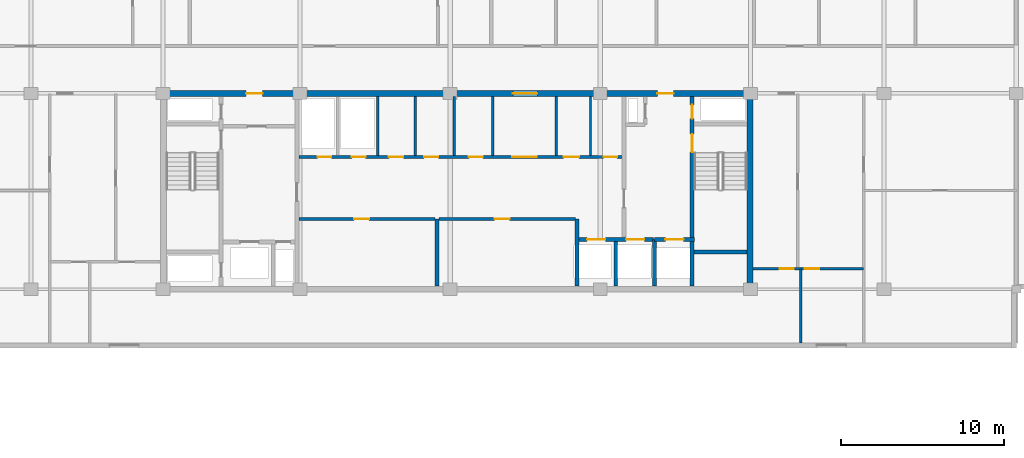
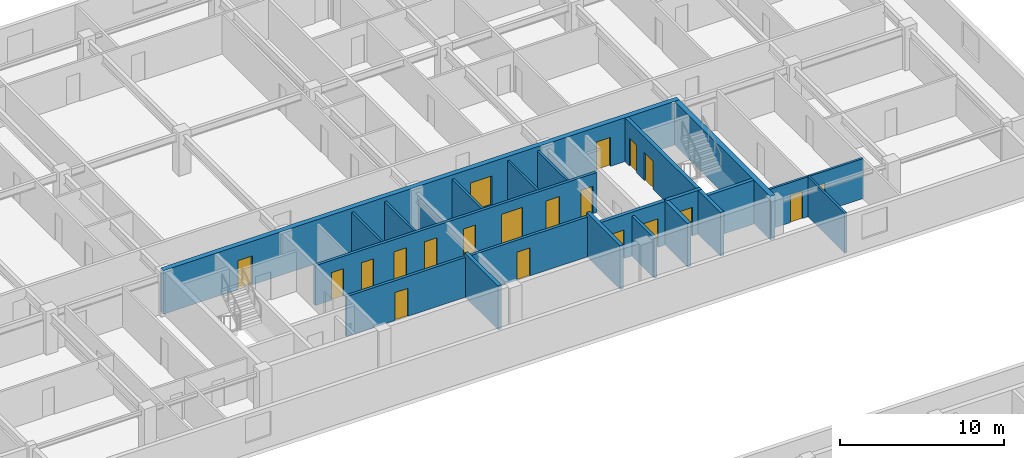
# One storey, part 20 of 30: 21 walls, 20 doors, 20 openings.
"""IFC4 building model written with IfcOpenShell, lengths in metres."""

from ifc_helpers import new_model, si_unit, direction, frame, frame_2d, origin, place, context, subcontext, project, spatial, rectangle, extrude, material, layer, layer_set, type_object, element, fill, save


model = new_model("IFC4")

# Units and contexts
model_context = context("Model", 3, precision=1e-05, world=origin(), true_north=direction((0.0, 1.0)))
body_context = subcontext(model_context, "Body", "Model", "MODEL_VIEW")
ifc_project = project(units=[si_unit("LENGTHUNIT", "METRE"), si_unit("AREAUNIT", "SQUARE_METRE"), si_unit("VOLUMEUNIT", "CUBIC_METRE"), si_unit("PLANEANGLEUNIT", "RADIAN"), si_unit("MASSUNIT", "GRAM", prefix="KILO")], contexts=[model_context])

# Site, building, storey
site_placement = place(None, origin())
site = spatial("IfcSite", under=ifc_project, at=site_placement, CompositionType="ELEMENT")
building_placement = place(site_placement, origin())
building = spatial("IfcBuilding", under=site, at=building_placement, Name="Korimba Cascade Residences", CompositionType="ELEMENT")
storey_placement = place(building_placement, frame((0.0, 0.0, 201.10009765625)))
storey = spatial("IfcBuildingStorey", under=building, at=storey_placement, Name="L58", CompositionType="ELEMENT", Elevation=201.10009765625)

# Wall
ifc_material_1 = material(Name="Concrete C65/80", Category="concrete")
ifc_layer_1 = layer(ifc_material_1, 0.35009765625)
ifc_layer_set_1 = layer_set([ifc_layer_1], Name="Concrete C65/80")
wall_type_1 = type_object("IfcWallType", Name="WAL-CORE-350", PredefinedType="SHEAR", material=ifc_layer_set_1)
wall_1_placement = place(storey_placement, frame((112.074951171875, 55.375, 0.0), z_axis=(0.0, 0.0, 1.0), x_axis=(0.0, 1.0, 0.0)))
element("IfcWall", 1, at=wall_1_placement, inside=storey, type_object=wall_type_1, Name="L58 Core Shear Wall CW-L58-T1-E", PredefinedType="SHEAR", context=body_context, shape_type="SweptSolid", body=[
    extrude(rectangle(XDim=11.64990234375, YDim=0.35009765625, at=frame_2d((5.824951171875, 0.0))), origin(), (0.0, 0.0, 1.0), 3.25),
])

# Wall, openings, doors
wall_2_placement = place(storey_placement, frame((75.949951171875, 67.199951171875, 0.0), z_axis=(0.0, 0.0, 1.0), x_axis=(1.0, 0.0, 0.0)))
wall_2 = element("IfcWall", 2, at=wall_2_placement, inside=storey, type_object=wall_type_1, Name="L58 Core Shear Wall CW-L58-T1-N", PredefinedType="SHEAR", context=body_context, shape_type="SweptSolid", body=[
    extrude(rectangle(XDim=36.300048828125, YDim=0.35009765625, at=frame_2d((18.14990234375, 0.0))), origin(), (0.0, 0.0, 1.0), 3.25),
])
opening_1_placement = place(wall_2_placement, frame((5.25, 0.0, 0.0)))
opening_1 = element("IfcOpeningElement", 3, at=opening_1_placement, cuts=wall_2, Name="Opening D-FD5", PredefinedType="OPENING", context=body_context, shape_type="SweptSolid", body=[
    extrude(rectangle(XDim=1.0, YDim=2.14990234375, at=frame_2d((0.5, 1.074951171875))), frame((0.0, 0.18505859375, 0.0), z_axis=(0.0, -1.0, 0.0), x_axis=(1.0, 0.0, 0.0)), (0.0, 0.0, 1.0), 0.3701171875),
])
opening_2_placement = place(wall_2_placement, frame((21.60009765625, 0.0, 0.0)))
opening_2 = element("IfcOpeningElement", 4, at=opening_2_placement, cuts=wall_2, Name="Opening D-FD8", PredefinedType="OPENING", context=body_context, shape_type="SweptSolid", body=[
    extrude(rectangle(XDim=1.5, YDim=2.199951171875, at=frame_2d((0.75, 1.10009765625))), frame((0.0, 0.18505859375, 0.0), z_axis=(0.0, -1.0, 0.0), x_axis=(1.0, 0.0, 0.0)), (0.0, 0.0, 1.0), 0.3701171875),
])
opening_3_placement = place(wall_2_placement, frame((30.449951171875, 0.0, 0.0)))
opening_3 = element("IfcOpeningElement", 5, at=opening_3_placement, cuts=wall_2, Name="Opening D-FD5", PredefinedType="OPENING", context=body_context, shape_type="SweptSolid", body=[
    extrude(rectangle(XDim=1.0, YDim=2.14990234375, at=frame_2d((0.5, 1.074951171875))), frame((0.0, 0.18505859375, 0.0), z_axis=(0.0, -1.0, 0.0), x_axis=(1.0, 0.0, 0.0)), (0.0, 0.0, 1.0), 0.3701171875),
])
ifc_material_2 = material(Name="Fire-Rated Acoustic Timber Vestibule Door", Category="wood")
door_type_1 = type_object("IfcDoorType", Name="DR-FD90-1000", OperationType="NOTDEFINED", PredefinedType="DOOR", material=ifc_material_2)
door_1_placement = place(opening_1_placement, origin())
door_1 = element("IfcDoor", 6, at=door_1_placement, inside=storey, type_object=door_type_1, Name="L58 T1 West Core Vestibule Fire Door", OperationType="SINGLE_SWING_LEFT", OverallHeight=2.14990234375, OverallWidth=1.0, PredefinedType="DOOR", context=body_context, shape_type="SweptSolid", body=[
    extrude(rectangle(XDim=1.0, YDim=2.14990234375, at=frame_2d((0.5, 1.074951171875))), frame((0.0, 0.02490234375, 0.0), z_axis=(0.0, -1.0, 0.0), x_axis=(1.0, 0.0, 0.0)), (0.0, 0.0, 1.0), 0.050048828125),
])
fill(opening_1, door_1)
door_2_placement = place(opening_3_placement, origin())
door_2 = element("IfcDoor", 7, at=door_2_placement, inside=storey, type_object=door_type_1, Name="L58 T1 East Firefighting Vestibule Fire Door", OperationType="SINGLE_SWING_RIGHT", OverallHeight=2.14990234375, OverallWidth=1.0, PredefinedType="DOOR", context=body_context, shape_type="SweptSolid", body=[
    extrude(rectangle(XDim=1.0, YDim=2.14990234375, at=frame_2d((0.5, 1.074951171875))), frame((0.0, 0.02490234375, 0.0), z_axis=(0.0, -1.0, 0.0), x_axis=(1.0, 0.0, 0.0)), (0.0, 0.0, 1.0), 0.050048828125),
])
fill(opening_3, door_2)
ifc_material_3 = material(Name="Fire-Rated Glazed Lift Lobby Double Door", Category="glass")
door_type_2 = type_object("IfcDoorType", Name="DR-FD90-1500", OperationType="NOTDEFINED", PredefinedType="DOOR", material=ifc_material_3)
door_3_placement = place(opening_2_placement, origin())
door_3 = element("IfcDoor", 8, at=door_3_placement, inside=storey, type_object=door_type_2, Name="L58 T1 Lift Lobby Fire Door", OperationType="DOUBLE_DOOR_SINGLE_SWING", OverallHeight=2.199951171875, OverallWidth=1.5, PredefinedType="DOOR", context=body_context, shape_type="SweptSolid", body=[
    extrude(rectangle(XDim=1.5, YDim=2.199951171875, at=frame_2d((0.75, 1.10009765625))), frame((0.0, 0.02490234375, 0.0), z_axis=(0.0, -1.0, 0.0), x_axis=(1.0, 0.0, 0.0)), (0.0, 0.0, 1.0), 0.050048828125),
])
fill(opening_2, door_3)

# Walls
ifc_material_4 = material(Name="Insulated Acoustic Stud Partition", Category="gypsum")
ifc_layer_2 = layer(ifc_material_4, 0.14990234375)
ifc_layer_set_2 = layer_set([ifc_layer_2], Name="Insulated Acoustic Stud Partition")
wall_type_2 = type_object("IfcWallType", Name="WAL-PART-150", PredefinedType="PARTITIONING", material=ifc_layer_set_2)
for number, where, z_axis, x_axis, name in (
    (9, (89.25, 63.39990234375, 0.0), (0.0, 0.0, 1.0), (0.0, 1.0, 0.0), "L58 Partition Wall CW-L58-T1-PRDIV"),
    (10, (91.550048828125, 63.39990234375, 0.0), (0.0, 0.0, 1.0), (0.0, 1.0, 0.0), "L58 Partition Wall CW-L58-T1-CA1W1"),
):
    element("IfcWall", number, at=place(storey_placement, frame(where, z_axis=z_axis, x_axis=x_axis)), inside=storey, type_object=wall_type_2, Name=name, PredefinedType="PARTITIONING", context=body_context, shape_type="SweptSolid", body=[
        extrude(rectangle(XDim=3.60009765625, YDim=0.14990234375, at=frame_2d((1.800048828125, 0.0))), origin(), (0.0, 0.0, 1.0), 2.969970703125),
    ])
wall_3_placement = place(storey_placement, frame((93.949951171875, 63.39990234375, 0.0), z_axis=(0.0, 0.0, 1.0), x_axis=(0.0, 1.0, 0.0)))
element("IfcWall", 11, at=wall_3_placement, inside=storey, type_object=wall_type_2, Name="L58 Partition Wall CW-L58-T1-CA1W2", PredefinedType="PARTITIONING", context=body_context, shape_type="SweptSolid", body=[
    extrude(rectangle(XDim=3.60009765625, YDim=0.14990234375, at=frame_2d((1.800048828125, 0.0))), origin(), (0.0, 0.0, 1.0), 2.277099609375),
])
for number, where, z_axis, x_axis, name in (
    (12, (102.300048828125, 63.39990234375, 0.0), (0.0, 0.0, 1.0), (0.0, 1.0, 0.0), "L58 Partition Wall CW-L58-T1-CA1E1"),
    (13, (96.300048828125, 63.39990234375, 0.0), (0.0, 0.0, 1.0), (0.0, 1.0, 0.0), "L58 Partition Wall CW-L58-T1-THW"),
    (14, (100.199951171875, 63.39990234375, 0.0), (0.0, 0.0, 1.0), (0.0, 1.0, 0.0), "L58 Partition Wall CW-L58-T1-THE"),
):
    element("IfcWall", number, at=place(storey_placement, frame(where, z_axis=z_axis, x_axis=x_axis)), inside=storey, type_object=wall_type_2, Name=name, PredefinedType="PARTITIONING", context=body_context, shape_type="SweptSolid", body=[
        extrude(rectangle(XDim=3.60009765625, YDim=0.14990234375, at=frame_2d((1.800048828125, 0.0))), origin(), (0.0, 0.0, 1.0), 2.969970703125),
    ])
wall_4_placement = place(storey_placement, frame((115.199951171875, 51.89990234375, 0.0), z_axis=(0.0, 0.0, 1.0), x_axis=(0.0, 1.0, 0.0)))
element("IfcWall", 15, at=wall_4_placement, inside=storey, type_object=wall_type_2, Name="L58 Partition Wall WAL-L58-T1-FE-VS", PredefinedType="PARTITIONING", context=body_context, shape_type="SweptSolid", body=[
    extrude(rectangle(XDim=4.550048828125, YDim=0.14990234375, at=frame_2d((2.27490234375, 0.0))), origin(), (0.0, 0.0, 1.0), 2.969970703125),
])

# Wall, openings, doors
wall_5_placement = place(storey_placement, frame((112.27001953125, 56.449951171875, 0.0), z_axis=(0.0, 0.0, 1.0), x_axis=(1.0, 0.0, 0.0)))
wall_5 = element("IfcWall", 16, at=wall_5_placement, inside=storey, type_object=wall_type_2, Name="L58 Partition Wall WAL-L58-T1-FE-H", PredefinedType="PARTITIONING", context=body_context, shape_type="SweptSolid", body=[
    extrude(rectangle(XDim=6.760009765625, YDim=0.14990234375, at=frame_2d((3.3798828125, 0.0))), origin(), (0.0, 0.0, 1.0), 2.969970703125),
])
opening_4_placement = place(wall_5_placement, frame((1.6396484375, 0.0, 0.0)))
opening_4 = element("IfcOpeningElement", 17, at=opening_4_placement, cuts=wall_5, Name="Opening D-BT1", PredefinedType="OPENING", context=body_context, shape_type="SweptSolid", body=[
    extrude(rectangle(XDim=0.840087890625, YDim=2.0400390625, at=frame_2d((0.419921875, 1.02001953125))), frame((0.0, 0.0849609375, 0.0), z_axis=(0.0, -1.0, 0.0), x_axis=(1.0, 0.0, 0.0)), (0.0, 0.0, 1.0), 0.169921875),
])
opening_5_placement = place(wall_5_placement, frame((3.160400390625, 0.0, 0.0)))
opening_5 = element("IfcOpeningElement", 18, at=opening_5_placement, cuts=wall_5, Name="Opening D-IN2", PredefinedType="OPENING", context=body_context, shape_type="SweptSolid", body=[
    extrude(rectangle(XDim=0.8798828125, YDim=2.06005859375, at=frame_2d((0.43994140625, 1.030029296875))), frame((0.0, 0.0849609375, 0.0), z_axis=(0.0, -1.0, 0.0), x_axis=(1.0, 0.0, 0.0)), (0.0, 0.0, 1.0), 0.169921875),
])
ifc_material_5 = material(Name="Moisture-Resistant Bathroom Timber Door", Category="wood")
door_type_3 = type_object("IfcDoorType", Name="DR-INT-850", OperationType="NOTDEFINED", PredefinedType="DOOR", material=ifc_material_5)
door_4_placement = place(opening_4_placement, origin())
door_4 = element("IfcDoor", 19, at=door_4_placement, inside=storey, type_object=door_type_3, Name="L58-T1-FE Bathroom Door", OperationType="SINGLE_SWING_LEFT", OverallHeight=2.0400390625, OverallWidth=0.840087890625, PredefinedType="DOOR", context=body_context, shape_type="SweptSolid", body=[
    extrude(rectangle(XDim=0.840087890625, YDim=2.0400390625, at=frame_2d((0.419921875, 1.02001953125))), frame((0.0, 0.02490234375, 0.0), z_axis=(0.0, -1.0, 0.0), x_axis=(1.0, 0.0, 0.0)), (0.0, 0.0, 1.0), 0.050048828125),
])
fill(opening_4, door_4)
ifc_material_6 = material(Name="Acoustic Timber Bedroom Door", Category="wood")
door_type_4 = type_object("IfcDoorType", Name="DR-INT-880", OperationType="NOTDEFINED", PredefinedType="DOOR", material=ifc_material_6)
door_5_placement = place(opening_5_placement, origin())
door_5 = element("IfcDoor", 20, at=door_5_placement, inside=storey, type_object=door_type_4, Name="L58-T1-FE Bedroom Door", OperationType="SINGLE_SWING_RIGHT", OverallHeight=2.06005859375, OverallWidth=0.8798828125, PredefinedType="DOOR", context=body_context, shape_type="SweptSolid", body=[
    extrude(rectangle(XDim=0.8798828125, YDim=2.06005859375, at=frame_2d((0.43994140625, 1.030029296875))), frame((0.0, 0.02490234375, 0.0), z_axis=(0.0, -1.0, 0.0), x_axis=(1.0, 0.0, 0.0)), (0.0, 0.0, 1.0), 0.050048828125),
])
fill(opening_5, door_5)

# Wall, opening, door
ifc_material_7 = material(Name="Concrete C40/50", Category="concrete")
ifc_layer_3 = layer(ifc_material_7, 0.199951171875)
ifc_layer_set_3 = layer_set([ifc_layer_3], Name="Concrete C40/50")
wall_type_3 = type_object("IfcWallType", Name="WAL-PART-200", PredefinedType="PARTITIONING", material=ifc_layer_set_3)
wall_6_placement = place(storey_placement, frame((84.419921875, 59.5, 0.0), z_axis=(0.0, 0.0, 1.0), x_axis=(1.0, 0.0, 0.0)))
wall_6 = element("IfcWall", 21, at=wall_6_placement, inside=storey, type_object=wall_type_3, Name="L58 Partition Wall CW-L58-T1-B1RN", PredefinedType="PARTITIONING", context=body_context, shape_type="SweptSolid", body=[
    extrude(rectangle(XDim=8.360107421875, YDim=0.199951171875, at=frame_2d((4.18017578125, 0.0))), origin(), (0.0, 0.0, 1.0), 2.969970703125),
])
opening_6_placement = place(wall_6_placement, frame((3.39990234375, 0.0, 0.0)))
opening_6 = element("IfcOpeningElement", 22, at=opening_6_placement, cuts=wall_6, Name="Opening D-ST1", PredefinedType="OPENING", context=body_context, shape_type="SweptSolid", body=[
    extrude(rectangle(XDim=0.919921875, YDim=2.080078125, at=frame_2d((0.4599609375, 1.0400390625))), frame((0.0, 0.10986328125, 0.0), z_axis=(0.0, -1.0, 0.0), x_axis=(1.0, 0.0, 0.0)), (0.0, 0.0, 1.0), 0.219970703125),
])
ifc_material_8 = material(Name="Fire-Rated Core Store Door", Category="wood")
door_type_5 = type_object("IfcDoorType", Name="DR-FD60-920", OperationType="NOTDEFINED", PredefinedType="DOOR", material=ifc_material_8)
door_6_placement = place(opening_6_placement, origin())
door_6 = element("IfcDoor", 23, at=door_6_placement, inside=storey, type_object=door_type_5, Name="L58 Resident Storage Door", OperationType="SINGLE_SWING_LEFT", OverallHeight=2.080078125, OverallWidth=0.919921875, PredefinedType="DOOR", context=body_context, shape_type="SweptSolid", body=[
    extrude(rectangle(XDim=0.919921875, YDim=2.080078125, at=frame_2d((0.4599609375, 1.0400390625))), frame((0.0, 0.02490234375, 0.0), z_axis=(0.0, -1.0, 0.0), x_axis=(1.0, 0.0, 0.0)), (0.0, 0.0, 1.0), 0.050048828125),
])
fill(opening_6, door_6)

wall_7_placement = place(storey_placement, frame((93.02001953125, 59.5, 0.0), z_axis=(0.0, 0.0, 1.0), x_axis=(1.0, 0.0, 0.0)))
wall_7 = element("IfcWall", 24, at=wall_7_placement, inside=storey, type_object=wall_type_3, Name="L58 Partition Wall CW-L58-T1-B2RN", PredefinedType="PARTITIONING", context=body_context, shape_type="SweptSolid", body=[
    extrude(rectangle(XDim=8.35986328125, YDim=0.199951171875, at=frame_2d((4.179931640625, 0.0))), origin(), (0.0, 0.0, 1.0), 2.969970703125),
])
opening_7_placement = place(wall_7_placement, frame((3.39990234375, 0.0, 0.0)))
opening_7 = element("IfcOpeningElement", 25, at=opening_7_placement, cuts=wall_7, Name="Opening D-ST1", PredefinedType="OPENING", context=body_context, shape_type="SweptSolid", body=[
    extrude(rectangle(XDim=0.919921875, YDim=2.080078125, at=frame_2d((0.4599609375, 1.0400390625))), frame((0.0, 0.10986328125, 0.0), z_axis=(0.0, -1.0, 0.0), x_axis=(1.0, 0.0, 0.0)), (0.0, 0.0, 1.0), 0.219970703125),
])
door_7_placement = place(opening_7_placement, origin())
door_7 = element("IfcDoor", 26, at=door_7_placement, inside=storey, type_object=door_type_5, Name="L58 Wine Cellar Store Door", OperationType="SINGLE_SWING_RIGHT", OverallHeight=2.080078125, OverallWidth=0.919921875, PredefinedType="DOOR", context=body_context, shape_type="SweptSolid", body=[
    extrude(rectangle(XDim=0.919921875, YDim=2.080078125, at=frame_2d((0.4599609375, 1.0400390625))), frame((0.0, 0.02490234375, 0.0), z_axis=(0.0, -1.0, 0.0), x_axis=(1.0, 0.0, 0.0)), (0.0, 0.0, 1.0), 0.050048828125),
])
fill(opening_7, door_7)

# Wall
wall_8_placement = place(storey_placement, frame((103.85009765625, 55.39990234375, 0.0), z_axis=(0.0, 0.0, 1.0), x_axis=(0.0, 1.0, 0.0)))
element("IfcWall", 27, at=wall_8_placement, inside=storey, type_object=wall_type_3, Name="L58 Partition Wall CW-L58-T1-B3D1", PredefinedType="PARTITIONING", context=body_context, shape_type="SweptSolid", body=[
    extrude(rectangle(XDim=2.72021484375, YDim=0.199951171875, at=frame_2d((1.360107421875, 0.0))), origin(), (0.0, 0.0, 1.0), 2.969970703125),
])

# Wall, openings, doors
wall_9_placement = place(storey_placement, frame((84.419921875, 63.300048828125, 0.0), z_axis=(0.0, 0.0, 1.0), x_axis=(1.0, 0.0, 0.0)))
wall_9 = element("IfcWall", 28, at=wall_9_placement, inside=storey, type_object=wall_type_3, Name="L58 Partition Wall CW-L58-T1-SRVROW", PredefinedType="PARTITIONING", context=body_context, shape_type="SweptSolid", body=[
    extrude(rectangle(XDim=19.830078125, YDim=0.199951171875, at=frame_2d((9.9150390625, 0.0))), origin(), (0.0, 0.0, 1.0), 2.969970703125),
])
opening_8_placement = place(wall_9_placement, frame((1.14990234375, 0.0, 0.0)))
opening_8 = element("IfcOpeningElement", 29, at=opening_8_placement, cuts=wall_9, Name="Opening D-RS1", PredefinedType="OPENING", context=body_context, shape_type="SweptSolid", body=[
    extrude(rectangle(XDim=0.85009765625, YDim=2.050048828125, at=frame_2d((0.425048828125, 1.02490234375))), frame((0.0, 0.10986328125, 0.0), z_axis=(0.0, -1.0, 0.0), x_axis=(1.0, 0.0, 0.0)), (0.0, 0.0, 1.0), 0.219970703125),
])
opening_9_placement = place(wall_9_placement, frame((3.25, 0.0, 0.0)))
opening_9 = element("IfcOpeningElement", 30, at=opening_9_placement, cuts=wall_9, Name="Opening D-RS1", PredefinedType="OPENING", context=body_context, shape_type="SweptSolid", body=[
    extrude(rectangle(XDim=0.85009765625, YDim=2.050048828125, at=frame_2d((0.425048828125, 1.02490234375))), frame((0.0, 0.10986328125, 0.0), z_axis=(0.0, -1.0, 0.0), x_axis=(1.0, 0.0, 0.0)), (0.0, 0.0, 1.0), 0.219970703125),
])
opening_10_placement = place(wall_9_placement, frame((13.080078125, 0.0, 0.0)))
opening_10 = element("IfcOpeningElement", 31, at=opening_10_placement, cuts=wall_9, Name="Opening D-FD8", PredefinedType="OPENING", context=body_context, shape_type="SweptSolid", body=[
    extrude(rectangle(XDim=1.5, YDim=2.199951171875, at=frame_2d((0.75, 1.10009765625))), frame((0.0, 0.10986328125, 0.0), z_axis=(0.0, -1.0, 0.0), x_axis=(1.0, 0.0, 0.0)), (0.0, 0.0, 1.0), 0.219970703125),
])
opening_11_placement = place(wall_9_placement, frame((5.530029296875, 0.0, 0.0)))
opening_11 = element("IfcOpeningElement", 32, at=opening_11_placement, cuts=wall_9, Name="Opening D-IN2", PredefinedType="OPENING", context=body_context, shape_type="SweptSolid", body=[
    extrude(rectangle(XDim=0.8798828125, YDim=2.06005859375, at=frame_2d((0.43994140625, 1.030029296875))), frame((0.0, 0.10986328125, 0.0), z_axis=(0.0, -1.0, 0.0), x_axis=(1.0, 0.0, 0.0)), (0.0, 0.0, 1.0), 0.219970703125),
])
opening_12_placement = place(wall_9_placement, frame((7.679931640625, 0.0, 0.0)))
opening_12 = element("IfcOpeningElement", 33, at=opening_12_placement, cuts=wall_9, Name="Opening D-IN2", PredefinedType="OPENING", context=body_context, shape_type="SweptSolid", body=[
    extrude(rectangle(XDim=0.8798828125, YDim=2.06005859375, at=frame_2d((0.43994140625, 1.030029296875))), frame((0.0, 0.10986328125, 0.0), z_axis=(0.0, -1.0, 0.0), x_axis=(1.0, 0.0, 0.0)), (0.0, 0.0, 1.0), 0.219970703125),
])
opening_13_placement = place(wall_9_placement, frame((10.429931640625, 0.0, 0.0)))
opening_13 = element("IfcOpeningElement", 34, at=opening_13_placement, cuts=wall_9, Name="Opening D-RS1", PredefinedType="OPENING", context=body_context, shape_type="SweptSolid", body=[
    extrude(rectangle(XDim=0.85009765625, YDim=2.050048828125, at=frame_2d((0.425048828125, 1.02490234375))), frame((0.0, 0.10986328125, 0.0), z_axis=(0.0, -1.0, 0.0), x_axis=(1.0, 0.0, 0.0)), (0.0, 0.0, 1.0), 0.219970703125),
])
opening_14_placement = place(wall_9_placement, frame((16.22998046875, 0.0, 0.0)))
opening_14 = element("IfcOpeningElement", 35, at=opening_14_placement, cuts=wall_9, Name="Opening D-AC1", PredefinedType="OPENING", context=body_context, shape_type="SweptSolid", body=[
    extrude(rectangle(XDim=0.9599609375, YDim=2.10009765625, at=frame_2d((0.47998046875, 1.050048828125))), frame((0.0, 0.10986328125, 0.0), z_axis=(0.0, -1.0, 0.0), x_axis=(1.0, 0.0, 0.0)), (0.0, 0.0, 1.0), 0.219970703125),
])
opening_15_placement = place(wall_9_placement, frame((18.679931640625, 0.0, 0.0)))
opening_15 = element("IfcOpeningElement", 36, at=opening_15_placement, cuts=wall_9, Name="Opening D-BT1", PredefinedType="OPENING", context=body_context, shape_type="SweptSolid", body=[
    extrude(rectangle(XDim=0.840087890625, YDim=2.0400390625, at=frame_2d((0.419921875, 1.02001953125))), frame((0.0, 0.10986328125, 0.0), z_axis=(0.0, -1.0, 0.0), x_axis=(1.0, 0.0, 0.0)), (0.0, 0.0, 1.0), 0.219970703125),
])
ifc_material_9 = material(Name="Accessible Acoustic Timber WC Door", Category="wood")
door_type_6 = type_object("IfcDoorType", Name="DR-ACC-950", OperationType="NOTDEFINED", PredefinedType="DOOR", material=ifc_material_9)
door_8_placement = place(opening_14_placement, origin())
door_8 = element("IfcDoor", 37, at=door_8_placement, inside=storey, type_object=door_type_6, Name="L58 Accessible Staff WC Door", OperationType="SINGLE_SWING_RIGHT", OverallHeight=2.10009765625, OverallWidth=0.9599609375, PredefinedType="DOOR", context=body_context, shape_type="SweptSolid", body=[
    extrude(rectangle(XDim=0.9599609375, YDim=2.10009765625, at=frame_2d((0.47998046875, 1.050048828125))), frame((0.0, 0.02490234375, 0.0), z_axis=(0.0, -1.0, 0.0), x_axis=(1.0, 0.0, 0.0)), (0.0, 0.0, 1.0), 0.050048828125),
])
fill(opening_14, door_8)
ifc_material_10 = material(Name="Fire-Rated Steel Riser Access Door", Category="steel")
door_type_7 = type_object("IfcDoorType", Name="DR-FD60-850", OperationType="NOTDEFINED", PredefinedType="DOOR", material=ifc_material_10)
door_9_placement = place(opening_8_placement, origin())
door_9 = element("IfcDoor", 38, at=door_9_placement, inside=storey, type_object=door_type_7, Name="L58 Electrical Riser Door", OperationType="SINGLE_SWING_LEFT", OverallHeight=2.050048828125, OverallWidth=0.85009765625, PredefinedType="DOOR", context=body_context, shape_type="SweptSolid", body=[
    extrude(rectangle(XDim=0.85009765625, YDim=2.050048828125, at=frame_2d((0.425048828125, 1.02490234375))), frame((0.0, 0.02490234375, 0.0), z_axis=(0.0, -1.0, 0.0), x_axis=(1.0, 0.0, 0.0)), (0.0, 0.0, 1.0), 0.050048828125),
])
fill(opening_8, door_9)
door_10_placement = place(opening_9_placement, origin())
door_10 = element("IfcDoor", 39, at=door_10_placement, inside=storey, type_object=door_type_7, Name="L58 Plumbing Riser Door", OperationType="SINGLE_SWING_RIGHT", OverallHeight=2.050048828125, OverallWidth=0.85009765625, PredefinedType="DOOR", context=body_context, shape_type="SweptSolid", body=[
    extrude(rectangle(XDim=0.85009765625, YDim=2.050048828125, at=frame_2d((0.425048828125, 1.02490234375))), frame((0.0, 0.02490234375, 0.0), z_axis=(0.0, -1.0, 0.0), x_axis=(1.0, 0.0, 0.0)), (0.0, 0.0, 1.0), 0.050048828125),
])
fill(opening_9, door_10)
door_11_placement = place(opening_13_placement, origin())
door_11 = element("IfcDoor", 40, at=door_11_placement, inside=storey, type_object=door_type_7, Name="L58 IT Room Door", OperationType="SINGLE_SWING_LEFT", OverallHeight=2.050048828125, OverallWidth=0.85009765625, PredefinedType="DOOR", context=body_context, shape_type="SweptSolid", body=[
    extrude(rectangle(XDim=0.85009765625, YDim=2.050048828125, at=frame_2d((0.425048828125, 1.02490234375))), frame((0.0, 0.02490234375, 0.0), z_axis=(0.0, -1.0, 0.0), x_axis=(1.0, 0.0, 0.0)), (0.0, 0.0, 1.0), 0.050048828125),
])
fill(opening_13, door_11)
door_12_placement = place(opening_10_placement, origin())
door_12 = element("IfcDoor", 41, at=door_12_placement, inside=storey, type_object=door_type_2, Name="L58 Lift Lobby Foyer Archway Door", OperationType="DOUBLE_DOOR_SINGLE_SWING", OverallHeight=2.199951171875, OverallWidth=1.5, PredefinedType="DOOR", context=body_context, shape_type="SweptSolid", body=[
    extrude(rectangle(XDim=1.5, YDim=2.199951171875, at=frame_2d((0.75, 1.10009765625))), frame((0.0, 0.02490234375, 0.0), z_axis=(0.0, -1.0, 0.0), x_axis=(1.0, 0.0, 0.0)), (0.0, 0.0, 1.0), 0.050048828125),
])
fill(opening_10, door_12)
door_13_placement = place(opening_15_placement, origin())
door_13 = element("IfcDoor", 42, at=door_13_placement, inside=storey, type_object=door_type_3, Name="L58 Vending Room Door", OperationType="SINGLE_SWING_LEFT", OverallHeight=2.0400390625, OverallWidth=0.840087890625, PredefinedType="DOOR", context=body_context, shape_type="SweptSolid", body=[
    extrude(rectangle(XDim=0.840087890625, YDim=2.0400390625, at=frame_2d((0.419921875, 1.02001953125))), frame((0.0, 0.02490234375, 0.0), z_axis=(0.0, -1.0, 0.0), x_axis=(1.0, 0.0, 0.0)), (0.0, 0.0, 1.0), 0.050048828125),
])
fill(opening_15, door_13)
door_14_placement = place(opening_11_placement, origin())
door_14 = element("IfcDoor", 43, at=door_14_placement, inside=storey, type_object=door_type_4, Name="L58 Cleaners Door", OperationType="SINGLE_SWING_LEFT", OverallHeight=2.06005859375, OverallWidth=0.8798828125, PredefinedType="DOOR", context=body_context, shape_type="SweptSolid", body=[
    extrude(rectangle(XDim=0.8798828125, YDim=2.06005859375, at=frame_2d((0.43994140625, 1.030029296875))), frame((0.0, 0.02490234375, 0.0), z_axis=(0.0, -1.0, 0.0), x_axis=(1.0, 0.0, 0.0)), (0.0, 0.0, 1.0), 0.050048828125),
])
fill(opening_11, door_14)
door_15_placement = place(opening_12_placement, origin())
door_15 = element("IfcDoor", 44, at=door_15_placement, inside=storey, type_object=door_type_4, Name="L58 Pantry Door", OperationType="SINGLE_SWING_RIGHT", OverallHeight=2.06005859375, OverallWidth=0.8798828125, PredefinedType="DOOR", context=body_context, shape_type="SweptSolid", body=[
    extrude(rectangle(XDim=0.8798828125, YDim=2.06005859375, at=frame_2d((0.43994140625, 1.030029296875))), frame((0.0, 0.02490234375, 0.0), z_axis=(0.0, -1.0, 0.0), x_axis=(1.0, 0.0, 0.0)), (0.0, 0.0, 1.0), 0.050048828125),
])
fill(opening_12, door_15)

# Walls
ifc_material_11 = material(Name="Concrete C50/60", Category="concrete")
ifc_layer_4 = layer(ifc_material_11, 0.25)
ifc_layer_set_4 = layer_set([ifc_layer_4], Name="Concrete C50/60")
wall_type_4 = type_object("IfcWallType", Name="WAL-SHAFT-250", PredefinedType="SHEAR", material=ifc_layer_set_4)
for number, where, z_axis, x_axis, name in (
    (45, (92.89990234375, 55.39990234375, 0.0), (0.0, 0.0, 1.0), (0.0, 1.0, 0.0), "L58 Core Shear Wall CW-L58-T1-B12DIV"),
    (46, (101.47998046875, 55.39990234375, 0.0), (0.0, 0.0, 1.0), (0.0, 1.0, 0.0), "L58 Core Shear Wall CW-L58-T1-B23DIV"),
):
    element("IfcWall", number, at=place(storey_placement, frame(where, z_axis=z_axis, x_axis=x_axis)), inside=storey, type_object=wall_type_4, Name=name, PredefinedType="SHEAR", context=body_context, shape_type="SweptSolid", body=[
        extrude(rectangle(XDim=4.10009765625, YDim=0.25, at=frame_2d((2.050048828125, 0.0))), origin(), (0.0, 0.0, 1.0), 3.25),
    ])

# Wall, openings, doors
wall_10_placement = place(storey_placement, frame((101.550048828125, 58.25, 0.0), z_axis=(0.0, 0.0, 1.0), x_axis=(1.0, 0.0, 0.0)))
wall_10 = element("IfcWall", 47, at=wall_10_placement, inside=storey, type_object=wall_type_4, Name="L58 Core Shear Wall CW-L58-T1-B3N", PredefinedType="SHEAR", context=body_context, shape_type="SweptSolid", body=[
    extrude(rectangle(XDim=4.599853515625, YDim=0.25, at=frame_2d((2.2998046875, 0.0))), origin(), (0.0, 0.0, 1.0), 3.25),
])
opening_16_placement = place(wall_10_placement, frame((0.5400390625, 0.0, 0.0)))
opening_16 = element("IfcOpeningElement", 48, at=opening_16_placement, cuts=wall_10, Name="Opening LD-01", PredefinedType="OPENING", context=body_context, shape_type="SweptSolid", body=[
    extrude(rectangle(XDim=1.1201171875, YDim=2.1201171875, at=frame_2d((0.56005859375, 1.06005859375))), frame((0.0, 0.135009765625, 0.0), z_axis=(0.0, -1.0, 0.0), x_axis=(1.0, 0.0, 0.0)), (0.0, 0.0, 1.0), 0.27001953125),
])
opening_17_placement = place(wall_10_placement, frame((2.93994140625, 0.0, 0.0)))
opening_17 = element("IfcOpeningElement", 49, at=opening_17_placement, cuts=wall_10, Name="Opening LD-01", PredefinedType="OPENING", context=body_context, shape_type="SweptSolid", body=[
    extrude(rectangle(XDim=1.1201171875, YDim=2.1201171875, at=frame_2d((0.56005859375, 1.06005859375))), frame((0.0, 0.135009765625, 0.0), z_axis=(0.0, -1.0, 0.0), x_axis=(1.0, 0.0, 0.0)), (0.0, 0.0, 1.0), 0.27001953125),
])
ifc_material_12 = material(Name="Stainless Steel Lift Landing Sliding Door", Category="steel")
door_type_8 = type_object("IfcDoorType", Name="DR-LIFT-1100", OperationType="NOTDEFINED", PredefinedType="DOOR", material=ifc_material_12)
door_16_placement = place(opening_16_placement, origin())
door_16 = element("IfcDoor", 50, at=door_16_placement, inside=storey, type_object=door_type_8, Name="L58 Lift Landing Door PL-W7", OperationType="SLIDING_TO_LEFT", OverallHeight=2.1201171875, OverallWidth=1.1201171875, PredefinedType="DOOR", context=body_context, shape_type="SweptSolid", body=[
    extrude(rectangle(XDim=1.1201171875, YDim=2.1201171875, at=frame_2d((0.56005859375, 1.06005859375))), frame((0.0, 0.02490234375, 0.0), z_axis=(0.0, -1.0, 0.0), x_axis=(1.0, 0.0, 0.0)), (0.0, 0.0, 1.0), 0.050048828125),
])
fill(opening_16, door_16)
door_17_placement = place(opening_17_placement, origin())
door_17 = element("IfcDoor", 51, at=door_17_placement, inside=storey, type_object=door_type_8, Name="L58 Lift Landing Door PL-W8", OperationType="SLIDING_TO_LEFT", OverallHeight=2.1201171875, OverallWidth=1.1201171875, PredefinedType="DOOR", context=body_context, shape_type="SweptSolid", body=[
    extrude(rectangle(XDim=1.1201171875, YDim=2.1201171875, at=frame_2d((0.56005859375, 1.06005859375))), frame((0.0, 0.02490234375, 0.0), z_axis=(0.0, -1.0, 0.0), x_axis=(1.0, 0.0, 0.0)), (0.0, 0.0, 1.0), 0.050048828125),
])
fill(opening_17, door_17)

# Wall
wall_11_placement = place(storey_placement, frame((106.219970703125, 55.39990234375, 0.0), z_axis=(0.0, 0.0, 1.0), x_axis=(0.0, 1.0, 0.0)))
element("IfcWall", 52, at=wall_11_placement, inside=storey, type_object=wall_type_4, Name="L58 Core Shear Wall CW-L58-T1-FF2W", PredefinedType="SHEAR", context=body_context, shape_type="SweptSolid", body=[
    extrude(rectangle(XDim=2.85009765625, YDim=0.25, at=frame_2d((1.425048828125, 0.0))), origin(), (0.0, 0.0, 1.0), 3.25),
])

# Wall, opening, door
wall_12_placement = place(storey_placement, frame((106.219970703125, 58.25, 0.0), z_axis=(0.0, 0.0, 1.0), x_axis=(1.0, 0.0, 0.0)))
wall_12 = element("IfcWall", 53, at=wall_12_placement, inside=storey, type_object=wall_type_4, Name="L58 Core Shear Wall CW-L58-T1-FF2N", PredefinedType="SHEAR", context=body_context, shape_type="SweptSolid", body=[
    extrude(rectangle(XDim=2.4599609375, YDim=0.25, at=frame_2d((1.22998046875, 0.0))), origin(), (0.0, 0.0, 1.0), 3.25),
])
opening_18_placement = place(wall_12_placement, frame((0.669921875, 0.0, 0.0)))
opening_18 = element("IfcOpeningElement", 54, at=opening_18_placement, cuts=wall_12, Name="Opening LD-01", PredefinedType="OPENING", context=body_context, shape_type="SweptSolid", body=[
    extrude(rectangle(XDim=1.1201171875, YDim=2.1201171875, at=frame_2d((0.56005859375, 1.06005859375))), frame((0.0, 0.135009765625, 0.0), z_axis=(0.0, -1.0, 0.0), x_axis=(1.0, 0.0, 0.0)), (0.0, 0.0, 1.0), 0.27001953125),
])
door_18_placement = place(opening_18_placement, origin())
door_18 = element("IfcDoor", 55, at=door_18_placement, inside=storey, type_object=door_type_8, Name="L58 Firefighting Lift Landing Door FFL-W2", OperationType="SLIDING_TO_RIGHT", OverallHeight=2.1201171875, OverallWidth=1.1201171875, PredefinedType="DOOR", context=body_context, shape_type="SweptSolid", body=[
    extrude(rectangle(XDim=1.1201171875, YDim=2.1201171875, at=frame_2d((0.56005859375, 1.06005859375))), frame((0.0, 0.02490234375, 0.0), z_axis=(0.0, -1.0, 0.0), x_axis=(1.0, 0.0, 0.0)), (0.0, 0.0, 1.0), 0.050048828125),
])
fill(opening_18, door_18)

# Wall, openings, doors
wall_13_placement = place(storey_placement, frame((108.534912109375, 55.39990234375, 0.0), z_axis=(0.0, 0.0, 1.0), x_axis=(0.0, 1.0, 0.0)))
wall_13 = element("IfcWall", 56, at=wall_13_placement, inside=storey, type_object=wall_type_4, Name="L58 Core Shear Wall CW-L58-T1-STW2W", PredefinedType="SHEAR", context=body_context, shape_type="SweptSolid", body=[
    extrude(rectangle(XDim=11.60009765625, YDim=0.25, at=frame_2d((5.800048828125, 0.0))), origin(), (0.0, 0.0, 1.0), 3.25),
])
opening_19_placement = place(wall_13_placement, frame((8.199951171875, 0.0, 0.0)))
opening_19 = element("IfcOpeningElement", 57, at=opening_19_placement, cuts=wall_13, Name="Opening D-FD1", PredefinedType="OPENING", context=body_context, shape_type="SweptSolid", body=[
    extrude(rectangle(XDim=1.10009765625, YDim=2.10009765625, at=frame_2d((0.550048828125, 1.050048828125))), frame((0.0, 0.135009765625, 0.0), z_axis=(0.0, -1.0, 0.0), x_axis=(1.0, 0.0, 0.0)), (0.0, 0.0, 1.0), 0.27001953125),
])
opening_20_placement = place(wall_13_placement, frame((10.25, 0.0, 0.0)))
opening_20 = element("IfcOpeningElement", 58, at=opening_20_placement, cuts=wall_13, Name="Opening D-RS1", PredefinedType="OPENING", context=body_context, shape_type="SweptSolid", body=[
    extrude(rectangle(XDim=0.85009765625, YDim=2.050048828125, at=frame_2d((0.425048828125, 1.02490234375))), frame((0.0, 0.135009765625, 0.0), z_axis=(0.0, -1.0, 0.0), x_axis=(1.0, 0.0, 0.0)), (0.0, 0.0, 1.0), 0.27001953125),
])
ifc_material_13 = material(Name="Fire-Rated Steel Core Door", Category="steel")
door_type_9 = type_object("IfcDoorType", Name="DR-FD120-1100", OperationType="NOTDEFINED", PredefinedType="DOOR", material=ifc_material_13)
door_19_placement = place(opening_19_placement, origin())
door_19 = element("IfcDoor", 59, at=door_19_placement, inside=storey, type_object=door_type_9, Name="L58 Fire Stair ST-W2 Door", OperationType="SINGLE_SWING_RIGHT", OverallHeight=2.10009765625, OverallWidth=1.10009765625, PredefinedType="DOOR", context=body_context, shape_type="SweptSolid", body=[
    extrude(rectangle(XDim=1.10009765625, YDim=2.10009765625, at=frame_2d((0.550048828125, 1.050048828125))), frame((0.0, 0.02490234375, 0.0), z_axis=(0.0, -1.0, 0.0), x_axis=(1.0, 0.0, 0.0)), (0.0, 0.0, 1.0), 0.050048828125),
])
fill(opening_19, door_19)
door_20_placement = place(opening_20_placement, origin())
door_20 = element("IfcDoor", 60, at=door_20_placement, inside=storey, type_object=door_type_7, Name="L58 East Riser Door", OperationType="SINGLE_SWING_LEFT", OverallHeight=2.050048828125, OverallWidth=0.85009765625, PredefinedType="DOOR", context=body_context, shape_type="SweptSolid", body=[
    extrude(rectangle(XDim=0.85009765625, YDim=2.050048828125, at=frame_2d((0.425048828125, 1.02490234375))), frame((0.0, 0.02490234375, 0.0), z_axis=(0.0, -1.0, 0.0), x_axis=(1.0, 0.0, 0.0)), (0.0, 0.0, 1.0), 0.050048828125),
])
fill(opening_20, door_20)

# Wall
wall_14_placement = place(storey_placement, frame((108.659912109375, 57.47509765625, 0.0), z_axis=(0.0, 0.0, 1.0), x_axis=(1.0, 0.0, 0.0)))
element("IfcWall", 61, at=wall_14_placement, inside=storey, type_object=wall_type_4, Name="L58 Core Shear Wall CW-L58-T1-STW2S", PredefinedType="SHEAR", context=body_context, shape_type="SweptSolid", body=[
    extrude(rectangle(XDim=3.239990234375, YDim=0.25, at=frame_2d((1.6201171875, 0.0))), origin(), (0.0, 0.0, 1.0), 3.25),
])

save(model, "model.ifc")
